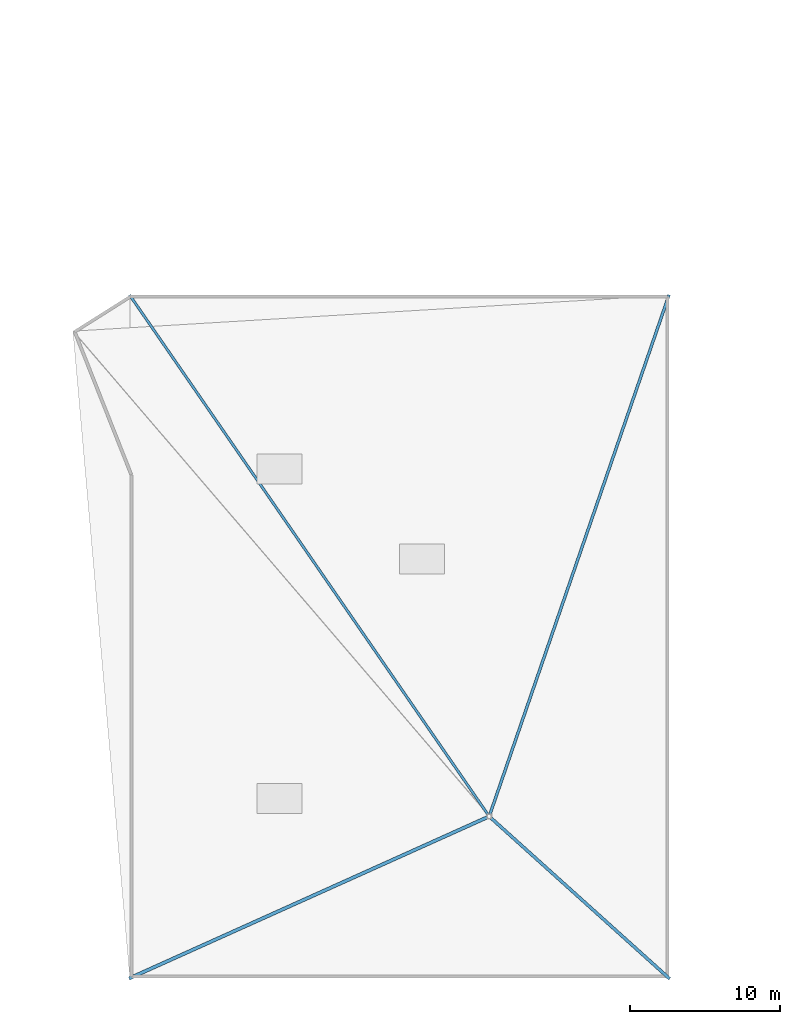
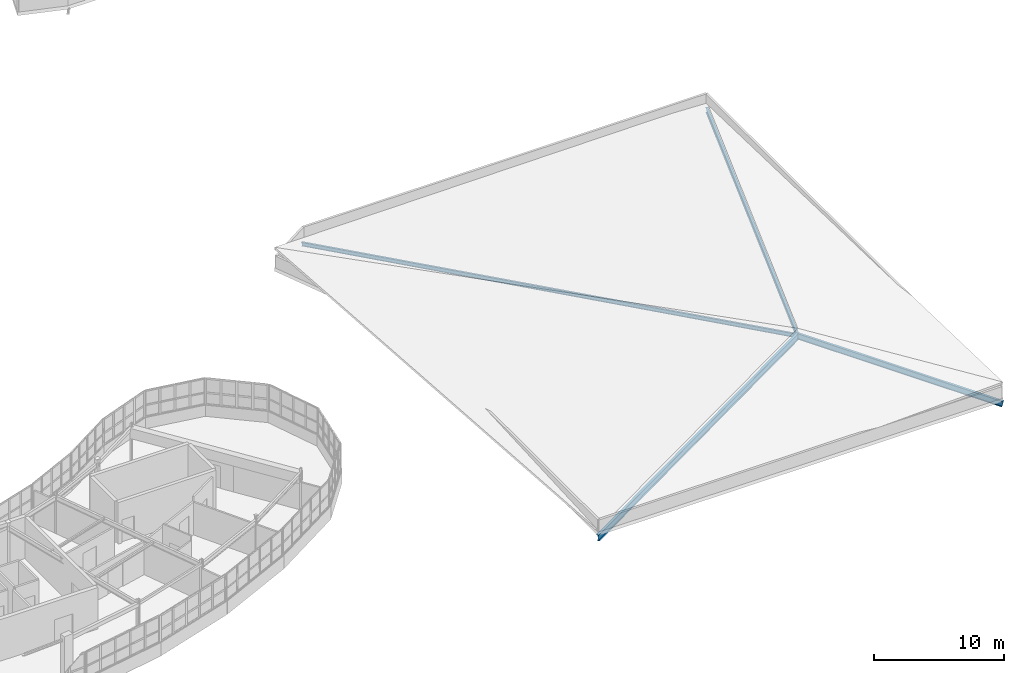
# One storey, part 31 of 79: 4 members.
"""IFC4 building model written with IfcOpenShell, lengths in metres."""

from ifc_helpers import new_model, si_unit, direction, frame, origin, origin_2d, place, context, subcontext, project, spatial, i_section, extrude, material, material_profile, profile_set, type_object, element, save


model = new_model("IFC4")

# Units and contexts
model_context = context("Model", 3, precision=1e-05, world=origin(), true_north=direction((0.0, 1.0)))
body_context = subcontext(model_context, "Body", "Model", "MODEL_VIEW")
ifc_project = project(units=[si_unit("LENGTHUNIT", "METRE"), si_unit("AREAUNIT", "SQUARE_METRE"), si_unit("VOLUMEUNIT", "CUBIC_METRE"), si_unit("PLANEANGLEUNIT", "RADIAN"), si_unit("MASSUNIT", "GRAM", prefix="KILO")], contexts=[model_context])

# Site, building, storey
site_placement = place(None, origin())
site = spatial("IfcSite", under=ifc_project, at=site_placement, CompositionType="ELEMENT")
building_placement = place(site_placement, origin())
building = spatial("IfcBuilding", under=site, at=building_placement, Name="Tarnwether General Hospital", CompositionType="ELEMENT")
storey_placement = place(building_placement, frame((0.0, 0.0, 18.300048828125)))
storey = spatial("IfcBuildingStorey", under=building, at=storey_placement, Name="L04", CompositionType="ELEMENT", Elevation=18.300048828125)

# Members
ifc_material_1 = material(Name="Steel Grade 350 (350 MPa)", Category="steel")
ifc_material_profile_1 = material_profile(ifc_material_1, i_section(OverallWidth=0.22802734375, OverallDepth=0.60205078125, WebThickness=0.010498046875, FlangeThickness=0.014892578125, at=origin_2d()), Name="610UB101")
ifc_profile_set_1 = profile_set([ifc_material_profile_1], Name="Steel Grade 350 (350 MPa)")
member_type_1 = type_object("IfcMemberType", Name="MB-RF1", PredefinedType="RAFTER", material=ifc_profile_set_1)
member_1_placement = place(storey_placement, frame((144.0, 0.0, -0.199951171875), z_axis=(0.901312241045, 0.405592342194, 0.152089105778), x_axis=(-0.410366220204, 0.91192081088, 0.0)))
element("IfcMember", 1, at=member_1_placement, inside=storey, type_object=member_type_1, Name="Outpatient South Origami Hip Rafter SW 09", PredefinedType="RAFTER", context=body_context, shape_type="SweptSolid", body=[
    extrude(i_section(OverallWidth=0.22802734375, OverallDepth=0.60205078125, WebThickness=0.010498046875, FlangeThickness=0.014892578125, at=origin_2d()), origin(), (0.0, 0.0, 1.0), 26.6279296875),
])
ifc_material_2 = material(Name="Steel Grade 350 (350 MPa)", Category="steel")
ifc_material_profile_2 = material_profile(ifc_material_2, i_section(OverallWidth=0.208984375, OverallDepth=0.528076171875, WebThickness=0.009521484375, FlangeThickness=0.01318359375, at=origin_2d()), Name="530UB82.0")
ifc_profile_set_2 = profile_set([ifc_material_profile_2], Name="Steel Grade 350 (350 MPa)")
member_type_2 = type_object("IfcMemberType", Name="MB-RF2", PredefinedType="RAFTER", material=ifc_profile_set_2)
member_2_placement = place(storey_placement, frame((180.0, 0.0, -0.199951171875), z_axis=(-0.720955502075, 0.648862885443, 0.243310747649), x_axis=(-0.668966402596, -0.743292642367, 0.0)))
element("IfcMember", 2, at=member_2_placement, inside=storey, type_object=member_type_2, Name="Outpatient South Origami Hip Rafter SE 10", PredefinedType="RAFTER", context=body_context, shape_type="SweptSolid", body=[
    extrude(i_section(OverallWidth=0.208984375, OverallDepth=0.528076171875, WebThickness=0.009521484375, FlangeThickness=0.01318359375, at=origin_2d()), origin(), (0.0, 0.0, 1.0), 16.64453125),
])
ifc_material_3 = material(Name="Steel Grade 350 (350 MPa)", Category="steel")
ifc_material_profile_3 = material_profile(ifc_material_3, i_section(OverallWidth=0.18994140625, OverallDepth=0.4541015625, WebThickness=0.008544921875, FlangeThickness=0.0126953125, at=origin_2d()), Name="460UB67.1")
ifc_profile_set_3 = profile_set([ifc_material_profile_3], Name="Steel Grade 350 (350 MPa)")
member_type_3 = type_object("IfcMemberType", Name="MB-RF3", PredefinedType="RAFTER", material=ifc_profile_set_3)
member_3_placement = place(storey_placement, frame((180.0, 45.60009765625, -0.199951171875), z_axis=(-0.324035174844, -0.939703325549, 0.1093565975), x_axis=(0.945373122589, -0.325990274528, 0.0)))
element("IfcMember", 3, at=member_3_placement, inside=storey, type_object=member_type_3, Name="Outpatient South Origami Hip Rafter NE 11", PredefinedType="RAFTER", context=body_context, shape_type="SweptSolid", body=[
    extrude(i_section(OverallWidth=0.18994140625, OverallDepth=0.4541015625, WebThickness=0.008544921875, FlangeThickness=0.0126953125, at=origin_2d()), origin(), (0.0, 0.0, 1.0), 37.032958984375),
])
ifc_material_4 = material(Name="Steel Grade 350 (350 MPa)", Category="steel")
ifc_material_profile_4 = material_profile(ifc_material_4, i_section(OverallWidth=0.1708984375, OverallDepth=0.35595703125, WebThickness=0.00732421875, FlangeThickness=0.011474609375, at=origin_2d()), Name="360UB50.7")
ifc_profile_set_4 = profile_set([ifc_material_profile_4], Name="Steel Grade 350 (350 MPa)")
member_type_4 = type_object("IfcMemberType", Name="MB-RF4", PredefinedType="RAFTER", material=ifc_profile_set_4)
member_4_placement = place(storey_placement, frame((144.0, 45.60009765625, -0.199951171875), z_axis=(0.565144978323, -0.819461368359, 0.09536361593), x_axis=(0.823213158213, 0.567732415971, 0.0)))
element("IfcMember", 4, at=member_4_placement, inside=storey, type_object=member_type_4, Name="Outpatient South Origami Hip Rafter NW 12", PredefinedType="RAFTER", context=body_context, shape_type="SweptSolid", body=[
    extrude(i_section(OverallWidth=0.1708984375, OverallDepth=0.35595703125, WebThickness=0.00732421875, FlangeThickness=0.011474609375, at=origin_2d()), origin(), (0.0, 0.0, 1.0), 42.467041015625),
])

save(model, "model.ifc")
